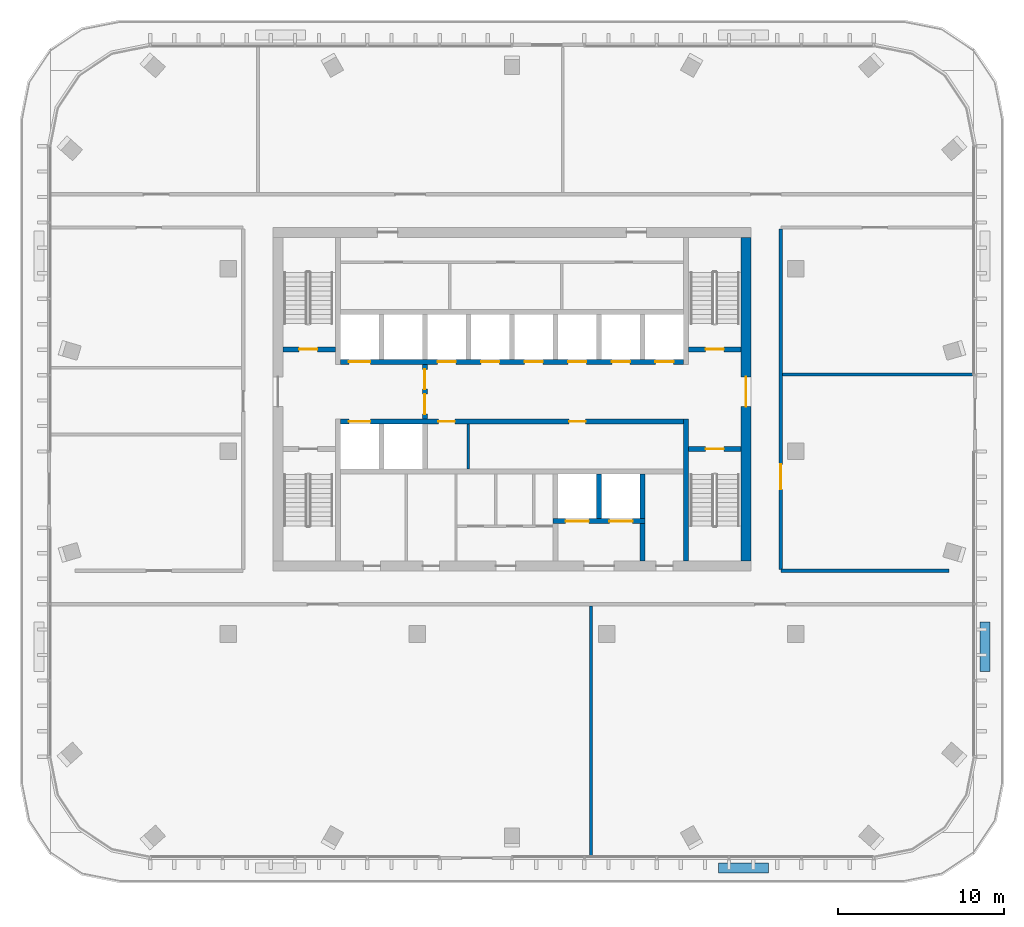
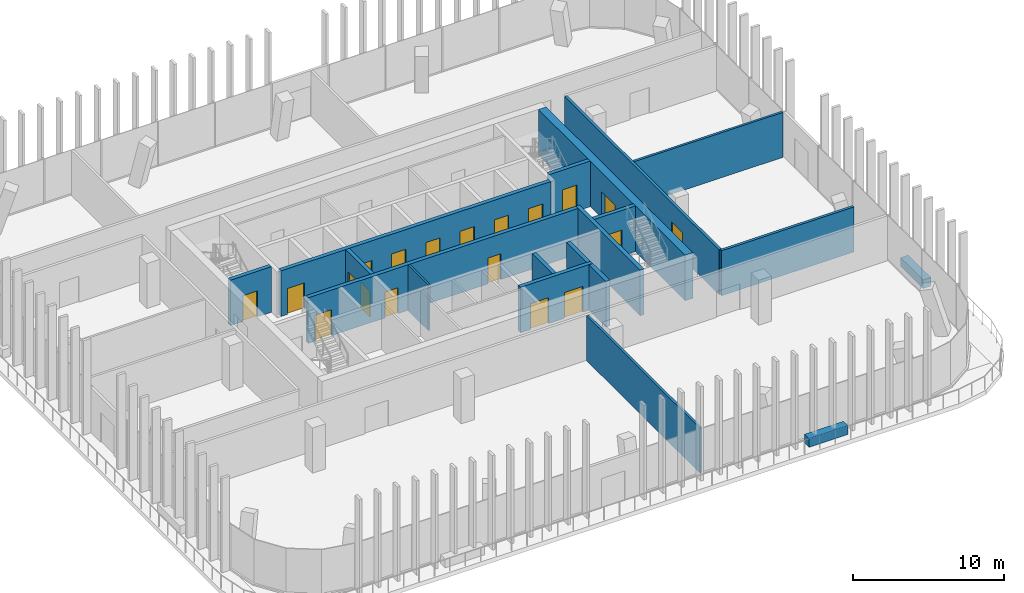
# One storey, part 8 of 16: 19 doors, 19 walls, 19 openings.
"""IFC4 building model written with IfcOpenShell, lengths in metres."""

from ifc_helpers import new_model, si_unit, direction, frame, frame_2d, origin, place, context, subcontext, project, spatial, rectangle, extrude, material, layer, layer_set, type_object, element, fill, save


model = new_model("IFC4")

# Units and contexts
model_context = context("Model", 3, precision=1e-05, world=origin(), true_north=direction((0.0, 1.0)))
body_context = subcontext(model_context, "Body", "Model", "MODEL_VIEW")
ifc_project = project(units=[si_unit("LENGTHUNIT", "METRE"), si_unit("AREAUNIT", "SQUARE_METRE"), si_unit("VOLUMEUNIT", "CUBIC_METRE"), si_unit("PLANEANGLEUNIT", "RADIAN"), si_unit("MASSUNIT", "GRAM", prefix="KILO")], contexts=[model_context])

# Site, building, storey
site_placement = place(None, origin())
site = spatial("IfcSite", under=ifc_project, at=site_placement, CompositionType="ELEMENT")
building_placement = place(site_placement, origin())
building = spatial("IfcBuilding", under=site, at=building_placement, Name="Mopane Tessera Tower", CompositionType="ELEMENT")
storey_placement = place(building_placement, frame((0.0, 0.0, 321.39990234375)))
storey = spatial("IfcBuildingStorey", under=building, at=storey_placement, Name="L70", CompositionType="ELEMENT", Elevation=321.39990234375)

# Wall
ifc_material_1 = material(Name="Fire-rated gypsum board partition")
ifc_layer_1 = layer(ifc_material_1, 0.14990234375)
ifc_layer_set_1 = layer_set([ifc_layer_1], Name="Fire-rated gypsum board partition")
wall_type_1 = type_object("IfcWallType", Name="Core room partition 150 mm", PredefinedType="PARTITIONING", material=ifc_layer_set_1)
wall_1_placement = place(storey_placement, frame((-2.625, -1.050048828125, 0.0), z_axis=(0.0, 0.0, 1.0), x_axis=(0.0, 1.0, 0.0)))
element("IfcWall", 1, at=wall_1_placement, inside=storey, type_object=wall_type_1, Name="L70 Room partition", PredefinedType="PARTITIONING", context=body_context, shape_type="SweptSolid", body=[
    extrude(rectangle(XDim=2.699951171875, YDim=0.14990234375, at=frame_2d((1.35009765625, 0.0))), origin(), (0.0, 0.0, 1.0), 3.7001953125),
])

# Wall, opening, door
ifc_material_2 = material(Name="Concrete C70/85", Category="concrete")
ifc_layer_2 = layer(ifc_material_2, 0.60009765625)
ifc_layer_set_2 = layer_set([ifc_layer_2], Name="Concrete C70/85")
wall_type_2 = type_object("IfcWallType", Name="Core shear wall 600 mm", PredefinedType="SHEAR", material=ifc_layer_set_2)
wall_2_placement = place(storey_placement, frame((14.10009765625, -6.60009765625, 0.0), z_axis=(0.0, 0.0, 1.0), x_axis=(0.0, 1.0, 0.0)))
wall_2 = element("IfcWall", 2, at=wall_2_placement, inside=storey, type_object=wall_type_2, Name="L70 Core wall east", PredefinedType="SHEAR", context=body_context, shape_type="SweptSolid", body=[
    extrude(rectangle(XDim=19.5, YDim=0.60009765625, at=frame_2d((9.75, 0.0))), origin(), (0.0, 0.0, 1.0), 3.7001953125),
])
opening_1_placement = place(wall_2_placement, frame((9.300048828125, 0.0, 0.0)))
opening_1 = element("IfcOpeningElement", 3, at=opening_1_placement, cuts=wall_2, Name="Opening SD2", PredefinedType="OPENING", context=body_context, shape_type="SweptSolid", body=[
    extrude(rectangle(XDim=1.800048828125, YDim=2.10009765625, at=frame_2d((0.89990234375, 1.050048828125))), frame((0.0, 0.31201171875, 0.0), z_axis=(0.0, -1.0, 0.0), x_axis=(1.0, 0.0, 0.0)), (0.0, 0.0, 1.0), 0.6240234375),
])
ifc_material_3 = material(Name="Steel fire door", Category="steel")
door_type_1 = type_object("IfcDoorType", Name="Core entrance double door 1800 x 2100", OperationType="DOUBLE_DOOR_SINGLE_SWING", PredefinedType="DOOR", material=ifc_material_3)
door_1_placement = place(opening_1_placement, origin())
door_1 = element("IfcDoor", 4, at=door_1_placement, inside=storey, type_object=door_type_1, Name="L70 Core entrance door east", OperationType="DOUBLE_DOOR_SINGLE_SWING", OverallHeight=2.10009765625, OverallWidth=1.800048828125, PredefinedType="DOOR", context=body_context, shape_type="SweptSolid", body=[
    extrude(rectangle(XDim=1.800048828125, YDim=2.10009765625, at=frame_2d((0.89990234375, 1.050048828125))), frame((0.0, 0.02490234375, 0.0), z_axis=(0.0, -1.0, 0.0), x_axis=(1.0, 0.0, 0.0)), (0.0, 0.0, 1.0), 0.050048828125),
])
fill(opening_1, door_1)

# Walls
ifc_material_4 = material(Name="Concrete C60/75", Category="concrete")
ifc_layer_3 = layer(ifc_material_4, 0.300048828125)
ifc_layer_set_3 = layer_set([ifc_layer_3], Name="Concrete C60/75")
wall_type_3 = type_object("IfcWallType", Name="Core spine wall 300 mm", PredefinedType="SHEAR", material=ifc_layer_set_3)
wall_3_placement = place(storey_placement, frame((10.5, -6.60009765625, 0.0), z_axis=(0.0, 0.0, 1.0), x_axis=(0.0, 1.0, 0.0)))
element("IfcWall", 5, at=wall_3_placement, inside=storey, type_object=wall_type_3, Name="L70 Core spine wall", PredefinedType="SHEAR", context=body_context, shape_type="SweptSolid", body=[
    extrude(rectangle(XDim=8.550048828125, YDim=0.300048828125, at=frame_2d((4.27490234375, 0.0))), origin(), (0.0, 0.0, 1.0), 3.7001953125),
])
ifc_material_5 = material(Name="Gypsum board on staggered steel studs, double layer each face, acoustic mineral wool infill", Category="steel")
ifc_layer_4 = layer(ifc_material_5, 0.175048828125)
ifc_layer_set_4 = layer_set([ifc_layer_4], Name="Gypsum board on staggered steel studs, double layer each face, acoustic mineral wool infill")
wall_type_4 = type_object("IfcWallType", Name="Gypsum board acoustic partition 175, rated EI 60", PredefinedType="PARTITIONING", material=ifc_layer_set_4)
wall_4_placement = place(storey_placement, frame((16.300048828125, 4.6298828125, 0.0), z_axis=(0.0, 0.0, 1.0), x_axis=(1.0, 0.0, 0.0)))
element("IfcWall", 6, at=wall_4_placement, inside=storey, type_object=wall_type_4, Name="Partition L70:004", PredefinedType="PARTITIONING", context=body_context, shape_type="SweptSolid", body=[
    extrude(rectangle(XDim=11.449951171875, YDim=0.175048828125, at=frame_2d((5.72509765625, 0.0))), origin(), (0.0, 0.0, 1.0), 3.650146484375),
])
wall_5_placement = place(storey_placement, frame((4.760009765625, -24.35009765625, 0.0), z_axis=(0.0, 0.0, 1.0), x_axis=(0.0, 1.0, 0.0)))
element("IfcWall", 7, at=wall_5_placement, inside=storey, type_object=wall_type_4, Name="Partition L70:012", PredefinedType="PARTITIONING", context=body_context, shape_type="SweptSolid", body=[
    extrude(rectangle(XDim=15.050048828125, YDim=0.175048828125, at=frame_2d((7.52490234375, 0.0))), origin(), (0.0, 0.0, 1.0), 3.650146484375),
])
ifc_material_6 = material(Name="Gypsum board on steel studs, two layers each face, mineral wool infill", Category="steel")
ifc_layer_5 = layer(ifc_material_6, 0.199951171875)
ifc_layer_set_5 = layer_set([ifc_layer_5], Name="Gypsum board on steel studs, two layers each face, mineral wool infill")
wall_type_5 = type_object("IfcWallType", Name="Gypsum board corridor wall 200, rated EI 60", PredefinedType="PARTITIONING", material=ifc_layer_set_5)
wall_6_placement = place(storey_placement, frame((16.199951171875, -7.199951171875, 0.0), z_axis=(0.0, 0.0, 1.0), x_axis=(1.0, 0.0, 0.0)))
element("IfcWall", 8, at=wall_6_placement, inside=storey, type_object=wall_type_5, Name="Partition L70:002", PredefinedType="PARTITIONING", context=body_context, shape_type="SweptSolid", body=[
    extrude(rectangle(XDim=10.150146484375, YDim=0.199951171875, at=frame_2d((5.0751953125, 0.0))), origin(), (0.0, 0.0, 1.0), 3.650146484375),
])

# Wall, opening, door
wall_7_placement = place(storey_placement, frame((16.199951171875, -7.10009765625, 0.0), z_axis=(0.0, 0.0, 1.0), x_axis=(0.0, 1.0, 0.0)))
wall_7 = element("IfcWall", 9, at=wall_7_placement, inside=storey, type_object=wall_type_5, Name="Partition L70:013", PredefinedType="PARTITIONING", context=body_context, shape_type="SweptSolid", body=[
    extrude(rectangle(XDim=20.5, YDim=0.199951171875, at=frame_2d((10.25, 0.0))), origin(), (0.0, 0.0, 1.0), 3.650146484375),
])
opening_2_placement = place(wall_7_placement, frame((4.81494140625, 0.0, 0.0)))
opening_2 = element("IfcOpeningElement", 10, at=opening_2_placement, cuts=wall_7, Name="Opening L70-06", PredefinedType="OPENING", context=body_context, shape_type="SweptSolid", body=[
    extrude(rectangle(XDim=1.5, YDim=2.10009765625, at=frame_2d((0.75, 1.050048828125))), frame((0.0, 0.112060546875, 0.0), z_axis=(0.0, -1.0, 0.0), x_axis=(1.0, 0.0, 0.0)), (0.0, 0.0, 1.0), 0.223876953125),
])
ifc_material_7 = material(Name="Timber veneered steel-framed fire door", Category="steel")
door_type_2 = type_object("IfcDoorType", Name="Fire door pair FD60 1500 x 2100", OperationType="DOUBLE_DOOR_SINGLE_SWING", PredefinedType="DOOR", material=ifc_material_7)
door_2_placement = place(opening_2_placement, origin())
door_2 = element("IfcDoor", 11, at=door_2_placement, inside=storey, type_object=door_type_2, Name="Door L70-06", ObjectType="D17A", OperationType="DOUBLE_DOOR_SINGLE_SWING", OverallHeight=2.10009765625, OverallWidth=1.5, PredefinedType="DOOR", context=body_context, shape_type="SweptSolid", body=[
    extrude(rectangle(XDim=1.5, YDim=2.10009765625, at=frame_2d((0.75, 1.050048828125))), frame((0.0, 0.02490234375, 0.0), z_axis=(0.0, -1.0, 0.0), x_axis=(1.0, 0.0, 0.0)), (0.0, 0.0, 1.0), 0.050048828125),
])
fill(opening_2, door_2)

ifc_material_8 = material(Name="Concrete C50/60", Category="concrete")
ifc_layer_6 = layer(ifc_material_8, 0.300048828125)
ifc_layer_set_6 = layer_set([ifc_layer_6], Name="Concrete C50/60")
wall_type_6 = type_object("IfcWallType", Name="Lift and stair shaft wall 300 mm", PredefinedType="SOLIDWALL", material=ifc_layer_set_6)
wall_8_placement = place(storey_placement, frame((-13.800048828125, 6.14990234375, 0.0), z_axis=(0.0, 0.0, 1.0), x_axis=(1.0, 0.0, 0.0)))
wall_8 = element("IfcWall", 12, at=wall_8_placement, inside=storey, type_object=wall_type_6, Name="L70 Stair enclosure wall", PredefinedType="SOLIDWALL", context=body_context, shape_type="SweptSolid", body=[
    extrude(rectangle(XDim=3.150146484375, YDim=0.300048828125, at=frame_2d((1.5751953125, 0.0))), origin(), (0.0, 0.0, 1.0), 3.7001953125),
])
opening_3_placement = place(wall_8_placement, frame((0.97509765625, 0.0, 0.0)))
opening_3 = element("IfcOpeningElement", 13, at=opening_3_placement, cuts=wall_8, Name="Opening SD1", PredefinedType="OPENING", context=body_context, shape_type="SweptSolid", body=[
    extrude(rectangle(XDim=1.10009765625, YDim=2.10009765625, at=frame_2d((0.550048828125, 1.050048828125))), frame((0.0, 0.162109375, 0.0), z_axis=(0.0, -1.0, 0.0), x_axis=(1.0, 0.0, 0.0)), (0.0, 0.0, 1.0), 0.323974609375),
])
ifc_material_9 = material(Name="Steel fire door", Category="steel")
door_type_3 = type_object("IfcDoorType", Name="Stair fire door 1100 x 2100", OperationType="SINGLE_SWING_LEFT", PredefinedType="DOOR", material=ifc_material_9)
door_3_placement = place(opening_3_placement, origin())
door_3 = element("IfcDoor", 14, at=door_3_placement, inside=storey, type_object=door_type_3, Name="L70 Stair door ST2", OperationType="SINGLE_SWING_LEFT", OverallHeight=2.10009765625, OverallWidth=1.10009765625, PredefinedType="DOOR", context=body_context, shape_type="SweptSolid", body=[
    extrude(rectangle(XDim=1.10009765625, YDim=2.10009765625, at=frame_2d((0.550048828125, 1.050048828125))), frame((0.0, 0.02490234375, 0.0), z_axis=(0.0, -1.0, 0.0), x_axis=(1.0, 0.0, 0.0)), (0.0, 0.0, 1.0), 0.050048828125),
])
fill(opening_3, door_3)

wall_9_placement = place(storey_placement, frame((10.64990234375, 0.14990234375, 0.0), z_axis=(0.0, 0.0, 1.0), x_axis=(1.0, 0.0, 0.0)))
wall_9 = element("IfcWall", 15, at=wall_9_placement, inside=storey, type_object=wall_type_6, Name="L70 Stair enclosure wall", PredefinedType="SOLIDWALL", context=body_context, shape_type="SweptSolid", body=[
    extrude(rectangle(XDim=3.150146484375, YDim=0.300048828125, at=frame_2d((1.5751953125, 0.0))), origin(), (0.0, 0.0, 1.0), 3.7001953125),
])
opening_4_placement = place(wall_9_placement, frame((1.02490234375, 0.0, 0.0)))
opening_4 = element("IfcOpeningElement", 16, at=opening_4_placement, cuts=wall_9, Name="Opening SD1", PredefinedType="OPENING", context=body_context, shape_type="SweptSolid", body=[
    extrude(rectangle(XDim=1.10009765625, YDim=2.10009765625, at=frame_2d((0.550048828125, 1.050048828125))), frame((0.0, 0.162109375, 0.0), z_axis=(0.0, -1.0, 0.0), x_axis=(1.0, 0.0, 0.0)), (0.0, 0.0, 1.0), 0.323974609375),
])
door_4_placement = place(opening_4_placement, origin())
door_4 = element("IfcDoor", 17, at=door_4_placement, inside=storey, type_object=door_type_3, Name="L70 Stair door ST3", OperationType="SINGLE_SWING_RIGHT", OverallHeight=2.10009765625, OverallWidth=1.10009765625, PredefinedType="DOOR", context=body_context, shape_type="SweptSolid", body=[
    extrude(rectangle(XDim=1.10009765625, YDim=2.10009765625, at=frame_2d((0.550048828125, 1.050048828125))), frame((0.0, 0.02490234375, 0.0), z_axis=(0.0, -1.0, 0.0), x_axis=(1.0, 0.0, 0.0)), (0.0, 0.0, 1.0), 0.050048828125),
])
fill(opening_4, door_4)

wall_10_placement = place(storey_placement, frame((10.64990234375, 6.14990234375, 0.0), z_axis=(0.0, 0.0, 1.0), x_axis=(1.0, 0.0, 0.0)))
wall_10 = element("IfcWall", 18, at=wall_10_placement, inside=storey, type_object=wall_type_6, Name="L70 Stair enclosure wall", PredefinedType="SOLIDWALL", context=body_context, shape_type="SweptSolid", body=[
    extrude(rectangle(XDim=3.150146484375, YDim=0.300048828125, at=frame_2d((1.5751953125, 0.0))), origin(), (0.0, 0.0, 1.0), 3.7001953125),
])
opening_5_placement = place(wall_10_placement, frame((1.02490234375, 0.0, 0.0)))
opening_5 = element("IfcOpeningElement", 19, at=opening_5_placement, cuts=wall_10, Name="Opening SD1", PredefinedType="OPENING", context=body_context, shape_type="SweptSolid", body=[
    extrude(rectangle(XDim=1.10009765625, YDim=2.10009765625, at=frame_2d((0.550048828125, 1.050048828125))), frame((0.0, 0.162109375, 0.0), z_axis=(0.0, -1.0, 0.0), x_axis=(1.0, 0.0, 0.0)), (0.0, 0.0, 1.0), 0.323974609375),
])
door_5_placement = place(opening_5_placement, origin())
door_5 = element("IfcDoor", 20, at=door_5_placement, inside=storey, type_object=door_type_3, Name="L70 Stair door ST4", OperationType="SINGLE_SWING_RIGHT", OverallHeight=2.10009765625, OverallWidth=1.10009765625, PredefinedType="DOOR", context=body_context, shape_type="SweptSolid", body=[
    extrude(rectangle(XDim=1.10009765625, YDim=2.10009765625, at=frame_2d((0.550048828125, 1.050048828125))), frame((0.0, 0.02490234375, 0.0), z_axis=(0.0, -1.0, 0.0), x_axis=(1.0, 0.0, 0.0)), (0.0, 0.0, 1.0), 0.050048828125),
])
fill(opening_5, door_5)

# Wall, openings, doors
wall_11_placement = place(storey_placement, frame((-10.35009765625, 1.800048828125, 0.0), z_axis=(0.0, 0.0, 1.0), x_axis=(1.0, 0.0, 0.0)))
wall_11 = element("IfcWall", 21, at=wall_11_placement, inside=storey, type_object=wall_type_6, Name="L70 Lift shaft front wall", PredefinedType="SOLIDWALL", context=body_context, shape_type="SweptSolid", body=[
    extrude(rectangle(XDim=20.7001953125, YDim=0.300048828125, at=frame_2d((10.35009765625, 0.0))), origin(), (0.0, 0.0, 1.0), 3.7001953125),
])
opening_6_placement = place(wall_11_placement, frame((0.512451171875, 0.0, 0.0)))
opening_6 = element("IfcOpeningElement", 22, at=opening_6_placement, cuts=wall_11, Name="Opening LD2", PredefinedType="OPENING", context=body_context, shape_type="SweptSolid", body=[
    extrude(rectangle(XDim=1.300048828125, YDim=2.10009765625, at=frame_2d((0.64990234375, 1.050048828125))), frame((0.0, 0.162109375, 0.0), z_axis=(0.0, -1.0, 0.0), x_axis=(1.0, 0.0, 0.0)), (0.0, 0.0, 1.0), 0.323974609375),
])
opening_7_placement = place(wall_11_placement, frame((5.91259765625, 0.0, 0.0)))
opening_7 = element("IfcOpeningElement", 23, at=opening_7_placement, cuts=wall_11, Name="Opening RD1", PredefinedType="OPENING", context=body_context, shape_type="SweptSolid", body=[
    extrude(rectangle(XDim=1.0, YDim=2.10009765625, at=frame_2d((0.5, 1.050048828125))), frame((0.0, 0.162109375, 0.0), z_axis=(0.0, -1.0, 0.0), x_axis=(1.0, 0.0, 0.0)), (0.0, 0.0, 1.0), 0.323974609375),
])
opening_8_placement = place(wall_11_placement, frame((13.78759765625, 0.0, 0.0)))
opening_8 = element("IfcOpeningElement", 24, at=opening_8_placement, cuts=wall_11, Name="Opening RD1", PredefinedType="OPENING", context=body_context, shape_type="SweptSolid", body=[
    extrude(rectangle(XDim=1.0, YDim=2.10009765625, at=frame_2d((0.5, 1.050048828125))), frame((0.0, 0.162109375, 0.0), z_axis=(0.0, -1.0, 0.0), x_axis=(1.0, 0.0, 0.0)), (0.0, 0.0, 1.0), 0.323974609375),
])
ifc_material_10 = material(Name="Timber door", Category="wood")
door_type_4 = type_object("IfcDoorType", Name="Core room door 1000 x 2100", OperationType="SINGLE_SWING_LEFT", PredefinedType="DOOR", material=ifc_material_10)
door_6_placement = place(opening_7_placement, origin())
door_6 = element("IfcDoor", 25, at=door_6_placement, inside=storey, type_object=door_type_4, Name="L70 Room door", OperationType="SINGLE_SWING_LEFT", OverallHeight=2.10009765625, OverallWidth=1.0, PredefinedType="DOOR", context=body_context, shape_type="SweptSolid", body=[
    extrude(rectangle(XDim=1.0, YDim=2.10009765625, at=frame_2d((0.5, 1.050048828125))), frame((0.0, 0.02490234375, 0.0), z_axis=(0.0, -1.0, 0.0), x_axis=(1.0, 0.0, 0.0)), (0.0, 0.0, 1.0), 0.050048828125),
])
fill(opening_7, door_6)
door_7_placement = place(opening_8_placement, origin())
door_7 = element("IfcDoor", 26, at=door_7_placement, inside=storey, type_object=door_type_4, Name="L70 Room door", OperationType="SINGLE_SWING_LEFT", OverallHeight=2.10009765625, OverallWidth=1.0, PredefinedType="DOOR", context=body_context, shape_type="SweptSolid", body=[
    extrude(rectangle(XDim=1.0, YDim=2.10009765625, at=frame_2d((0.5, 1.050048828125))), frame((0.0, 0.02490234375, 0.0), z_axis=(0.0, -1.0, 0.0), x_axis=(1.0, 0.0, 0.0)), (0.0, 0.0, 1.0), 0.050048828125),
])
fill(opening_8, door_7)
ifc_material_11 = material(Name="Stainless steel sliding door", Category="steel")
door_type_5 = type_object("IfcDoorType", Name="Fire-fighting lift landing door 1300 x 2100", OperationType="DOUBLE_DOOR_SLIDING", PredefinedType="DOOR", material=ifc_material_11)
door_8_placement = place(opening_6_placement, origin())
door_8 = element("IfcDoor", 27, at=door_8_placement, inside=storey, type_object=door_type_5, Name="L70 Lift landing door FF1", OperationType="DOUBLE_DOOR_SLIDING", OverallHeight=2.10009765625, OverallWidth=1.300048828125, PredefinedType="DOOR", context=body_context, shape_type="SweptSolid", body=[
    extrude(rectangle(XDim=1.300048828125, YDim=2.10009765625, at=frame_2d((0.64990234375, 1.050048828125))), frame((0.0, 0.02490234375, 0.0), z_axis=(0.0, -1.0, 0.0), x_axis=(1.0, 0.0, 0.0)), (0.0, 0.0, 1.0), 0.050048828125),
])
fill(opening_6, door_8)

wall_12_placement = place(storey_placement, frame((-10.35009765625, 5.39990234375, 0.0), z_axis=(0.0, 0.0, 1.0), x_axis=(1.0, 0.0, 0.0)))
wall_12 = element("IfcWall", 28, at=wall_12_placement, inside=storey, type_object=wall_type_6, Name="L70 Lift shaft front wall", PredefinedType="SOLIDWALL", context=body_context, shape_type="SweptSolid", body=[
    extrude(rectangle(XDim=20.7001953125, YDim=0.300048828125, at=frame_2d((10.35009765625, 0.0))), origin(), (0.0, 0.0, 1.0), 3.7001953125),
])
opening_9_placement = place(wall_12_placement, frame((0.512451171875, 0.0, 0.0)))
opening_9 = element("IfcOpeningElement", 29, at=opening_9_placement, cuts=wall_12, Name="Opening LD2", PredefinedType="OPENING", context=body_context, shape_type="SweptSolid", body=[
    extrude(rectangle(XDim=1.300048828125, YDim=2.10009765625, at=frame_2d((0.64990234375, 1.050048828125))), frame((0.0, 0.162109375, 0.0), z_axis=(0.0, -1.0, 0.0), x_axis=(1.0, 0.0, 0.0)), (0.0, 0.0, 1.0), 0.323974609375),
])
opening_10_placement = place(wall_12_placement, frame((5.862548828125, 0.0, 0.0)))
opening_10 = element("IfcOpeningElement", 30, at=opening_10_placement, cuts=wall_12, Name="Opening LD", PredefinedType="OPENING", context=body_context, shape_type="SweptSolid", body=[
    extrude(rectangle(XDim=1.10009765625, YDim=2.10009765625, at=frame_2d((0.550048828125, 1.050048828125))), frame((0.0, 0.162109375, 0.0), z_axis=(0.0, -1.0, 0.0), x_axis=(1.0, 0.0, 0.0)), (0.0, 0.0, 1.0), 0.323974609375),
])
opening_11_placement = place(wall_12_placement, frame((8.487548828125, 0.0, 0.0)))
opening_11 = element("IfcOpeningElement", 31, at=opening_11_placement, cuts=wall_12, Name="Opening LD", PredefinedType="OPENING", context=body_context, shape_type="SweptSolid", body=[
    extrude(rectangle(XDim=1.10009765625, YDim=2.10009765625, at=frame_2d((0.550048828125, 1.050048828125))), frame((0.0, 0.162109375, 0.0), z_axis=(0.0, -1.0, 0.0), x_axis=(1.0, 0.0, 0.0)), (0.0, 0.0, 1.0), 0.323974609375),
])
opening_12_placement = place(wall_12_placement, frame((11.112548828125, 0.0, 0.0)))
opening_12 = element("IfcOpeningElement", 32, at=opening_12_placement, cuts=wall_12, Name="Opening LD", PredefinedType="OPENING", context=body_context, shape_type="SweptSolid", body=[
    extrude(rectangle(XDim=1.10009765625, YDim=2.10009765625, at=frame_2d((0.550048828125, 1.050048828125))), frame((0.0, 0.162109375, 0.0), z_axis=(0.0, -1.0, 0.0), x_axis=(1.0, 0.0, 0.0)), (0.0, 0.0, 1.0), 0.323974609375),
])
opening_13_placement = place(wall_12_placement, frame((13.737548828125, 0.0, 0.0)))
opening_13 = element("IfcOpeningElement", 33, at=opening_13_placement, cuts=wall_12, Name="Opening LD", PredefinedType="OPENING", context=body_context, shape_type="SweptSolid", body=[
    extrude(rectangle(XDim=1.10009765625, YDim=2.10009765625, at=frame_2d((0.550048828125, 1.050048828125))), frame((0.0, 0.162109375, 0.0), z_axis=(0.0, -1.0, 0.0), x_axis=(1.0, 0.0, 0.0)), (0.0, 0.0, 1.0), 0.323974609375),
])
opening_14_placement = place(wall_12_placement, frame((16.362548828125, 0.0, 0.0)))
opening_14 = element("IfcOpeningElement", 34, at=opening_14_placement, cuts=wall_12, Name="Opening LD", PredefinedType="OPENING", context=body_context, shape_type="SweptSolid", body=[
    extrude(rectangle(XDim=1.10009765625, YDim=2.10009765625, at=frame_2d((0.550048828125, 1.050048828125))), frame((0.0, 0.162109375, 0.0), z_axis=(0.0, -1.0, 0.0), x_axis=(1.0, 0.0, 0.0)), (0.0, 0.0, 1.0), 0.323974609375),
])
opening_15_placement = place(wall_12_placement, frame((18.987548828125, 0.0, 0.0)))
opening_15 = element("IfcOpeningElement", 35, at=opening_15_placement, cuts=wall_12, Name="Opening LD", PredefinedType="OPENING", context=body_context, shape_type="SweptSolid", body=[
    extrude(rectangle(XDim=1.10009765625, YDim=2.10009765625, at=frame_2d((0.550048828125, 1.050048828125))), frame((0.0, 0.162109375, 0.0), z_axis=(0.0, -1.0, 0.0), x_axis=(1.0, 0.0, 0.0)), (0.0, 0.0, 1.0), 0.323974609375),
])
door_9_placement = place(opening_9_placement, origin())
door_9 = element("IfcDoor", 36, at=door_9_placement, inside=storey, type_object=door_type_5, Name="L70 Lift landing door FF2", OperationType="DOUBLE_DOOR_SLIDING", OverallHeight=2.10009765625, OverallWidth=1.300048828125, PredefinedType="DOOR", context=body_context, shape_type="SweptSolid", body=[
    extrude(rectangle(XDim=1.300048828125, YDim=2.10009765625, at=frame_2d((0.64990234375, 1.050048828125))), frame((0.0, 0.02490234375, 0.0), z_axis=(0.0, -1.0, 0.0), x_axis=(1.0, 0.0, 0.0)), (0.0, 0.0, 1.0), 0.050048828125),
])
fill(opening_9, door_9)
ifc_material_12 = material(Name="Stainless steel sliding door", Category="steel")
door_type_6 = type_object("IfcDoorType", Name="Lift landing door 1100 x 2100", OperationType="DOUBLE_DOOR_SLIDING", PredefinedType="DOOR", material=ifc_material_12)
door_10_placement = place(opening_10_placement, origin())
door_10 = element("IfcDoor", 37, at=door_10_placement, inside=storey, type_object=door_type_6, Name="L70 Lift landing door HR1", OperationType="DOUBLE_DOOR_SLIDING", OverallHeight=2.10009765625, OverallWidth=1.10009765625, PredefinedType="DOOR", context=body_context, shape_type="SweptSolid", body=[
    extrude(rectangle(XDim=1.10009765625, YDim=2.10009765625, at=frame_2d((0.550048828125, 1.050048828125))), frame((0.0, 0.02490234375, 0.0), z_axis=(0.0, -1.0, 0.0), x_axis=(1.0, 0.0, 0.0)), (0.0, 0.0, 1.0), 0.050048828125),
])
fill(opening_10, door_10)
door_11_placement = place(opening_11_placement, origin())
door_11 = element("IfcDoor", 38, at=door_11_placement, inside=storey, type_object=door_type_6, Name="L70 Lift landing door HR2", OperationType="DOUBLE_DOOR_SLIDING", OverallHeight=2.10009765625, OverallWidth=1.10009765625, PredefinedType="DOOR", context=body_context, shape_type="SweptSolid", body=[
    extrude(rectangle(XDim=1.10009765625, YDim=2.10009765625, at=frame_2d((0.550048828125, 1.050048828125))), frame((0.0, 0.02490234375, 0.0), z_axis=(0.0, -1.0, 0.0), x_axis=(1.0, 0.0, 0.0)), (0.0, 0.0, 1.0), 0.050048828125),
])
fill(opening_11, door_11)
door_12_placement = place(opening_12_placement, origin())
door_12 = element("IfcDoor", 39, at=door_12_placement, inside=storey, type_object=door_type_6, Name="L70 Lift landing door HR3", OperationType="DOUBLE_DOOR_SLIDING", OverallHeight=2.10009765625, OverallWidth=1.10009765625, PredefinedType="DOOR", context=body_context, shape_type="SweptSolid", body=[
    extrude(rectangle(XDim=1.10009765625, YDim=2.10009765625, at=frame_2d((0.550048828125, 1.050048828125))), frame((0.0, 0.02490234375, 0.0), z_axis=(0.0, -1.0, 0.0), x_axis=(1.0, 0.0, 0.0)), (0.0, 0.0, 1.0), 0.050048828125),
])
fill(opening_12, door_12)
door_13_placement = place(opening_13_placement, origin())
door_13 = element("IfcDoor", 40, at=door_13_placement, inside=storey, type_object=door_type_6, Name="L70 Lift landing door HR4", OperationType="DOUBLE_DOOR_SLIDING", OverallHeight=2.10009765625, OverallWidth=1.10009765625, PredefinedType="DOOR", context=body_context, shape_type="SweptSolid", body=[
    extrude(rectangle(XDim=1.10009765625, YDim=2.10009765625, at=frame_2d((0.550048828125, 1.050048828125))), frame((0.0, 0.02490234375, 0.0), z_axis=(0.0, -1.0, 0.0), x_axis=(1.0, 0.0, 0.0)), (0.0, 0.0, 1.0), 0.050048828125),
])
fill(opening_13, door_13)
door_14_placement = place(opening_14_placement, origin())
door_14 = element("IfcDoor", 41, at=door_14_placement, inside=storey, type_object=door_type_6, Name="L70 Lift landing door HR5", OperationType="DOUBLE_DOOR_SLIDING", OverallHeight=2.10009765625, OverallWidth=1.10009765625, PredefinedType="DOOR", context=body_context, shape_type="SweptSolid", body=[
    extrude(rectangle(XDim=1.10009765625, YDim=2.10009765625, at=frame_2d((0.550048828125, 1.050048828125))), frame((0.0, 0.02490234375, 0.0), z_axis=(0.0, -1.0, 0.0), x_axis=(1.0, 0.0, 0.0)), (0.0, 0.0, 1.0), 0.050048828125),
])
fill(opening_14, door_14)
door_15_placement = place(opening_15_placement, origin())
door_15 = element("IfcDoor", 42, at=door_15_placement, inside=storey, type_object=door_type_6, Name="L70 Lift landing door HR6", OperationType="DOUBLE_DOOR_SLIDING", OverallHeight=2.10009765625, OverallWidth=1.10009765625, PredefinedType="DOOR", context=body_context, shape_type="SweptSolid", body=[
    extrude(rectangle(XDim=1.10009765625, YDim=2.10009765625, at=frame_2d((0.550048828125, 1.050048828125))), frame((0.0, 0.02490234375, 0.0), z_axis=(0.0, -1.0, 0.0), x_axis=(1.0, 0.0, 0.0)), (0.0, 0.0, 1.0), 0.050048828125),
])
fill(opening_15, door_15)

wall_13_placement = place(storey_placement, frame((2.47509765625, -4.199951171875, 0.0), z_axis=(0.0, 0.0, 1.0), x_axis=(1.0, 0.0, 0.0)))
wall_13 = element("IfcWall", 43, at=wall_13_placement, inside=storey, type_object=wall_type_6, Name="L70 Lift shaft front wall", PredefinedType="SOLIDWALL", context=body_context, shape_type="SweptSolid", body=[
    extrude(rectangle(XDim=5.5498046875, YDim=0.300048828125, at=frame_2d((2.77490234375, 0.0))), origin(), (0.0, 0.0, 1.0), 3.7001953125),
])
opening_16_placement = place(wall_13_placement, frame((0.762451171875, 0.0, 0.0)))
opening_16 = element("IfcOpeningElement", 44, at=opening_16_placement, cuts=wall_13, Name="Opening LD3", PredefinedType="OPENING", context=body_context, shape_type="SweptSolid", body=[
    extrude(rectangle(XDim=1.39990234375, YDim=2.10009765625, at=frame_2d((0.699951171875, 1.050048828125))), frame((0.0, 0.162109375, 0.0), z_axis=(0.0, -1.0, 0.0), x_axis=(1.0, 0.0, 0.0)), (0.0, 0.0, 1.0), 0.323974609375),
])
opening_17_placement = place(wall_13_placement, frame((3.387451171875, 0.0, 0.0)))
opening_17 = element("IfcOpeningElement", 45, at=opening_17_placement, cuts=wall_13, Name="Opening LD3", PredefinedType="OPENING", context=body_context, shape_type="SweptSolid", body=[
    extrude(rectangle(XDim=1.39990234375, YDim=2.10009765625, at=frame_2d((0.699951171875, 1.050048828125))), frame((0.0, 0.162109375, 0.0), z_axis=(0.0, -1.0, 0.0), x_axis=(1.0, 0.0, 0.0)), (0.0, 0.0, 1.0), 0.323974609375),
])
ifc_material_13 = material(Name="Stainless steel sliding door", Category="steel")
door_type_7 = type_object("IfcDoorType", Name="Service lift landing door 1400 x 2100", OperationType="DOUBLE_DOOR_SLIDING", PredefinedType="DOOR", material=ifc_material_13)
door_16_placement = place(opening_16_placement, origin())
door_16 = element("IfcDoor", 46, at=door_16_placement, inside=storey, type_object=door_type_7, Name="L70 Lift landing door SV1", OperationType="DOUBLE_DOOR_SLIDING", OverallHeight=2.10009765625, OverallWidth=1.39990234375, PredefinedType="DOOR", context=body_context, shape_type="SweptSolid", body=[
    extrude(rectangle(XDim=1.39990234375, YDim=2.10009765625, at=frame_2d((0.699951171875, 1.050048828125))), frame((0.0, 0.02490234375, 0.0), z_axis=(0.0, -1.0, 0.0), x_axis=(1.0, 0.0, 0.0)), (0.0, 0.0, 1.0), 0.050048828125),
])
fill(opening_16, door_16)
door_17_placement = place(opening_17_placement, origin())
door_17 = element("IfcDoor", 47, at=door_17_placement, inside=storey, type_object=door_type_7, Name="L70 Lift landing door SV2", OperationType="DOUBLE_DOOR_SLIDING", OverallHeight=2.10009765625, OverallWidth=1.39990234375, PredefinedType="DOOR", context=body_context, shape_type="SweptSolid", body=[
    extrude(rectangle(XDim=1.39990234375, YDim=2.10009765625, at=frame_2d((0.699951171875, 1.050048828125))), frame((0.0, 0.02490234375, 0.0), z_axis=(0.0, -1.0, 0.0), x_axis=(1.0, 0.0, 0.0)), (0.0, 0.0, 1.0), 0.050048828125),
])
fill(opening_17, door_17)

# Walls
for number, where, z_axis, x_axis, name in (
    (48, (5.25, -4.050048828125, 0.0), (0.0, 0.0, 1.0), (0.0, 1.0, 0.0), "L70 Lift shaft wall"),
    (49, (7.875, -4.050048828125, 0.0), (0.0, 0.0, 1.0), (0.0, 1.0, 0.0), "L70 Lift shaft wall"),
):
    element("IfcWall", number, at=place(storey_placement, frame(where, z_axis=z_axis, x_axis=x_axis)), inside=storey, type_object=wall_type_6, Name=name, PredefinedType="SOLIDWALL", context=body_context, shape_type="SweptSolid", body=[
        extrude(rectangle(XDim=2.699951171875, YDim=0.300048828125, at=frame_2d((1.35009765625, 0.0))), origin(), (0.0, 0.0, 1.0), 3.7001953125),
    ])

# Wall, openings, doors
ifc_material_14 = material(Name="Concrete C50/60", Category="concrete")
ifc_layer_7 = layer(ifc_material_14, 0.300048828125)
ifc_layer_set_7 = layer_set([ifc_layer_7], Name="Concrete C50/60")
wall_type_7 = type_object("IfcWallType", Name="Lobby and refuge room wall 300 mm", PredefinedType="SOLIDWALL", material=ifc_layer_set_7)
wall_14_placement = place(storey_placement, frame((-5.25, 1.949951171875, 0.0), z_axis=(0.0, 0.0, 1.0), x_axis=(0.0, 1.0, 0.0)))
wall_14 = element("IfcWall", 50, at=wall_14_placement, inside=storey, type_object=wall_type_7, Name="L70 Fire-fighting lobby wall", PredefinedType="SOLIDWALL", context=body_context, shape_type="SweptSolid", body=[
    extrude(rectangle(XDim=3.300048828125, YDim=0.300048828125, at=frame_2d((1.64990234375, 0.0))), origin(), (0.0, 0.0, 1.0), 3.7001953125),
])
opening_18_placement = place(wall_14_placement, frame((0.300048828125, 0.0, 0.0)))
opening_18 = element("IfcOpeningElement", 51, at=opening_18_placement, cuts=wall_14, Name="Opening SD3", PredefinedType="OPENING", context=body_context, shape_type="SweptSolid", body=[
    extrude(rectangle(XDim=1.199951171875, YDim=2.10009765625, at=frame_2d((0.60009765625, 1.050048828125))), frame((0.0, 0.162109375, 0.0), z_axis=(0.0, -1.0, 0.0), x_axis=(1.0, 0.0, 0.0)), (0.0, 0.0, 1.0), 0.323974609375),
])
opening_19_placement = place(wall_14_placement, frame((1.800048828125, 0.0, 0.0)))
opening_19 = element("IfcOpeningElement", 52, at=opening_19_placement, cuts=wall_14, Name="Opening SD3", PredefinedType="OPENING", context=body_context, shape_type="SweptSolid", body=[
    extrude(rectangle(XDim=1.199951171875, YDim=2.10009765625, at=frame_2d((0.60009765625, 1.050048828125))), frame((0.0, 0.162109375, 0.0), z_axis=(0.0, -1.0, 0.0), x_axis=(1.0, 0.0, 0.0)), (0.0, 0.0, 1.0), 0.323974609375),
])
ifc_material_15 = material(Name="Steel fire door", Category="steel")
door_type_8 = type_object("IfcDoorType", Name="Lobby fire door 1200 x 2100", OperationType="SINGLE_SWING_LEFT", PredefinedType="DOOR", material=ifc_material_15)
door_18_placement = place(opening_18_placement, origin())
door_18 = element("IfcDoor", 53, at=door_18_placement, inside=storey, type_object=door_type_8, Name="L70 Fire-fighting lobby door", OperationType="SINGLE_SWING_LEFT", OverallHeight=2.10009765625, OverallWidth=1.199951171875, PredefinedType="DOOR", context=body_context, shape_type="SweptSolid", body=[
    extrude(rectangle(XDim=1.199951171875, YDim=2.10009765625, at=frame_2d((0.60009765625, 1.050048828125))), frame((0.0, 0.02490234375, 0.0), z_axis=(0.0, -1.0, 0.0), x_axis=(1.0, 0.0, 0.0)), (0.0, 0.0, 1.0), 0.050048828125),
])
fill(opening_18, door_18)
door_19_placement = place(opening_19_placement, origin())
door_19 = element("IfcDoor", 54, at=door_19_placement, inside=storey, type_object=door_type_8, Name="L70 Fire-fighting lobby door", OperationType="SINGLE_SWING_RIGHT", OverallHeight=2.10009765625, OverallWidth=1.199951171875, PredefinedType="DOOR", context=body_context, shape_type="SweptSolid", body=[
    extrude(rectangle(XDim=1.199951171875, YDim=2.10009765625, at=frame_2d((0.60009765625, 1.050048828125))), frame((0.0, 0.02490234375, 0.0), z_axis=(0.0, -1.0, 0.0), x_axis=(1.0, 0.0, 0.0)), (0.0, 0.0, 1.0), 0.050048828125),
])
fill(opening_19, door_19)

# Walls
wall_15_placement = place(storey_placement, frame((7.875, -6.60009765625, 0.0), z_axis=(0.0, 0.0, 1.0), x_axis=(0.0, 1.0, 0.0)))
element("IfcWall", 55, at=wall_15_placement, inside=storey, type_object=wall_type_7, Name="L70 Service lobby wall", PredefinedType="SOLIDWALL", context=body_context, shape_type="SweptSolid", body=[
    extrude(rectangle(XDim=2.25, YDim=0.300048828125, at=frame_2d((1.125, 0.0))), origin(), (0.0, 0.0, 1.0), 3.7001953125),
])
ifc_material_16 = material(Name="Reinforced concrete C32/40 with waterproofing", Category="concrete")
ifc_layer_8 = layer(ifc_material_16, 0.60009765625)
ifc_layer_set_8 = layer_set([ifc_layer_8], Name="Reinforced concrete C32/40 with waterproofing")
wall_type_8 = type_object("IfcWallType", Name="Planter trough 3000 x 600", PredefinedType="STANDARD", material=ifc_layer_set_8)
for number, where, z_axis, x_axis, name in (
    (56, (12.451904296875, -25.10009765625, 0.0), (0.0, 0.0, 1.0), (1.0, 0.0, 0.0), "e:sp:L70:S1"),
    (57, (28.5, -13.27587890625, 0.0), (0.0, 0.0, 1.0), (0.0, 1.0, 0.0), "e:sp:L70:E0"),
):
    element("IfcWall", number, at=place(storey_placement, frame(where, z_axis=z_axis, x_axis=x_axis)), inside=storey, type_object=wall_type_8, Name=name, PredefinedType="STANDARD", context=body_context, shape_type="SweptSolid", body=[
        extrude(rectangle(XDim=3.0, YDim=0.60009765625, at=frame_2d((1.5, 0.0))), origin(), (0.0, 0.0, 1.0), 0.7001953125),
    ])

save(model, "model.ifc")
